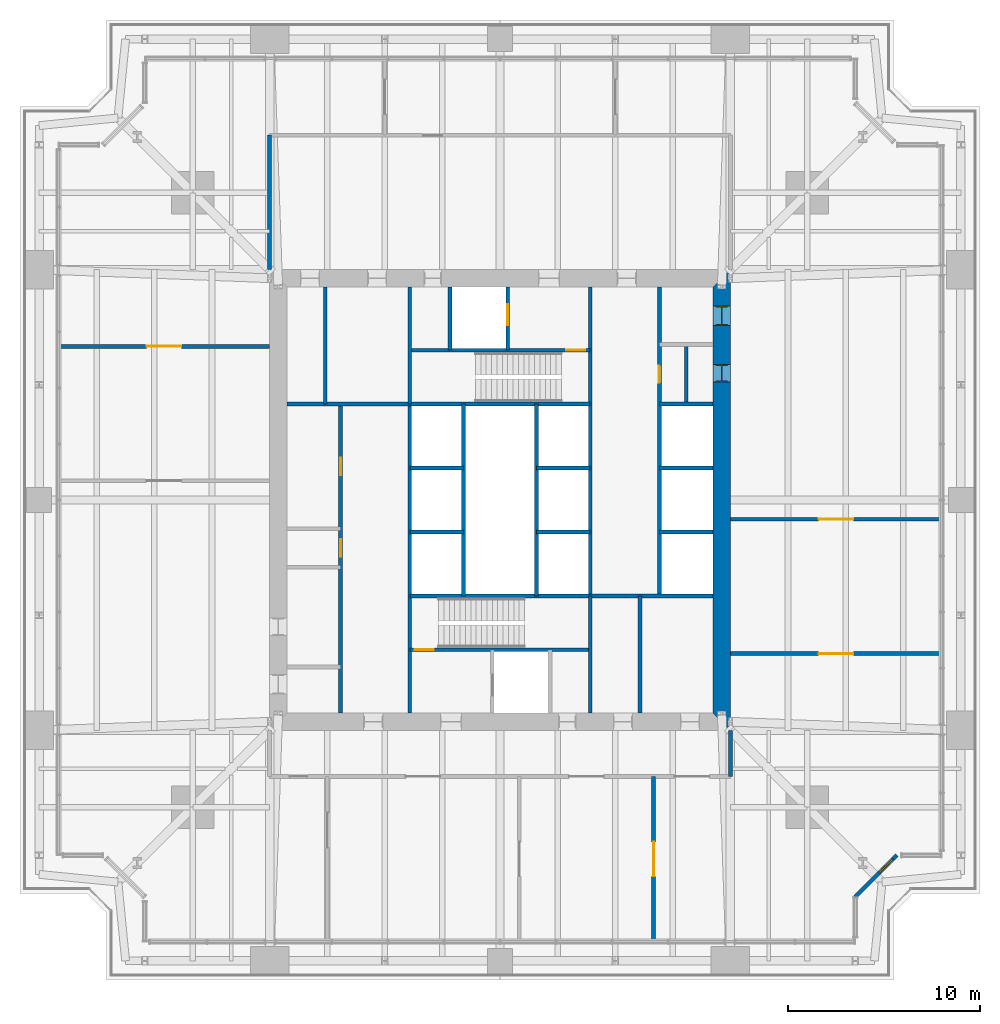
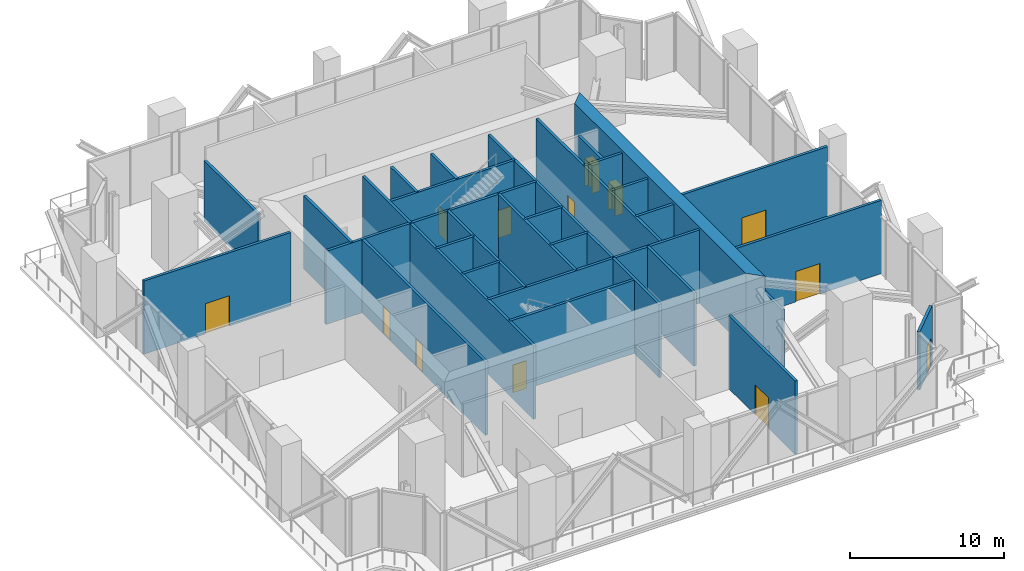
# One storey, part 10 of 14: 32 walls, 13 doors, 13 openings.
"""IFC4 building model written with IfcOpenShell, lengths in metres."""

from ifc_helpers import new_model, si_unit, direction, frame, frame_2d, origin, place, context, subcontext, project, spatial, polyline, rectangle, outline, extrude, material, layer, layer_set, type_object, element, fill, save


model = new_model("IFC4")

# Units and contexts
model_context = context("Model", 3, precision=1e-05, world=origin(), true_north=direction((0.0, 1.0)))
body_context = subcontext(model_context, "Body", "Model", "MODEL_VIEW")
ifc_project = project(units=[si_unit("LENGTHUNIT", "METRE"), si_unit("AREAUNIT", "SQUARE_METRE"), si_unit("VOLUMEUNIT", "CUBIC_METRE"), si_unit("PLANEANGLEUNIT", "RADIAN"), si_unit("MASSUNIT", "GRAM", prefix="KILO")], contexts=[model_context])

# Site, building, storey
site_placement = place(None, origin())
site = spatial("IfcSite", under=ifc_project, at=site_placement, CompositionType="ELEMENT")
building_placement = place(site_placement, origin())
building = spatial("IfcBuilding", under=site, at=building_placement, Name="Fenwick Lantern Interchange", CompositionType="ELEMENT")
storey_placement = place(building_placement, frame((0.0, 0.0, 162.39990234375)))
storey = spatial("IfcBuildingStorey", under=building, at=storey_placement, Name="L38", CompositionType="ELEMENT", Elevation=162.39990234375)

# Wall, openings, doors
ifc_material_1 = material(Name="Concrete masonry ASTM C90 Grade N", Category="masonry")
ifc_layer_1 = layer(ifc_material_1, 0.199951171875)
ifc_layer_set_1 = layer_set([ifc_layer_1], Name="Concrete masonry ASTM C90 Grade N")
wall_type_1 = type_object("IfcWallType", Name="CORE PARTITION 200", PredefinedType="PARTITIONING", material=ifc_layer_set_1)
wall_1_placement = place(storey_placement, frame((16.699951171875, 13.89990234375, 0.0), z_axis=(0.0, 0.0, 1.0), x_axis=(0.0, 1.0, 0.0)))
wall_1 = element("IfcWall", 1, at=wall_1_placement, inside=storey, type_object=wall_type_1, Name="L38/W/CORES/a", PredefinedType="PARTITIONING", context=body_context, shape_type="SweptSolid", body=[
    extrude(rectangle(XDim=16.10009765625, YDim=0.199951171875, at=frame_2d((8.050048828125, 0.0))), origin(), (0.0, 0.0, 1.0), 5.800048828125),
])
opening_1_placement = place(wall_1_placement, frame((8.14990234375, 0.0, 0.0)))
opening_1 = element("IfcOpeningElement", 2, at=opening_1_placement, cuts=wall_1, Name="Opening L38-D010", PredefinedType="OPENING", context=body_context, shape_type="SweptSolid", body=[
    extrude(rectangle(XDim=0.89990234375, YDim=2.199951171875, at=frame_2d((0.449951171875, 1.10009765625))), frame((0.0, 0.10986328125, 0.0), z_axis=(0.0, -1.0, 0.0), x_axis=(1.0, 0.0, 0.0)), (0.0, 0.0, 1.0), 0.219970703125),
])
opening_2_placement = place(wall_1_placement, frame((12.39990234375, 0.0, 0.0)))
opening_2 = element("IfcOpeningElement", 3, at=opening_2_placement, cuts=wall_1, Name="Opening L38-D011", PredefinedType="OPENING", context=body_context, shape_type="SweptSolid", body=[
    extrude(rectangle(XDim=0.89990234375, YDim=2.199951171875, at=frame_2d((0.449951171875, 1.10009765625))), frame((0.0, 0.10986328125, 0.0), z_axis=(0.0, -1.0, 0.0), x_axis=(1.0, 0.0, 0.0)), (0.0, 0.0, 1.0), 0.219970703125),
])
ifc_material_2 = material(Name="Steel door and frame", Category="steel")
door_type_1 = type_object("IfcDoorType", Name="SERVICE DOOR 900 X 2200", OperationType="SINGLE_SWING_LEFT", PredefinedType="DOOR", material=ifc_material_2)
door_1_placement = place(opening_1_placement, origin())
door_1 = element("IfcDoor", 4, at=door_1_placement, inside=storey, type_object=door_type_1, Name="Service door", OperationType="SINGLE_SWING_LEFT", OverallHeight=2.199951171875, OverallWidth=0.89990234375, PredefinedType="DOOR", context=body_context, shape_type="SweptSolid", body=[
    extrude(rectangle(XDim=0.89990234375, YDim=2.199951171875, at=frame_2d((0.449951171875, 1.10009765625))), frame((0.0, 0.02490234375, 0.0), z_axis=(0.0, -1.0, 0.0), x_axis=(1.0, 0.0, 0.0)), (0.0, 0.0, 1.0), 0.050048828125),
])
fill(opening_1, door_1)
door_2_placement = place(opening_2_placement, origin())
door_2 = element("IfcDoor", 5, at=door_2_placement, inside=storey, type_object=door_type_1, Name="Service door", OperationType="SINGLE_SWING_LEFT", OverallHeight=2.199951171875, OverallWidth=0.89990234375, PredefinedType="DOOR", context=body_context, shape_type="SweptSolid", body=[
    extrude(rectangle(XDim=0.89990234375, YDim=2.199951171875, at=frame_2d((0.449951171875, 1.10009765625))), frame((0.0, 0.02490234375, 0.0), z_axis=(0.0, -1.0, 0.0), x_axis=(1.0, 0.0, 0.0)), (0.0, 0.0, 1.0), 0.050048828125),
])
fill(opening_2, door_2)

# Walls
for number, where, z_axis, x_axis, name in (
    (6, (20.300048828125, 23.333251953125, 0.0), (0.0, 0.0, 1.0), (1.0, 0.0, 0.0), "L38/W/CORES/e1"),
    (7, (20.300048828125, 26.666748046875, 0.0), (0.0, 0.0, 1.0), (1.0, 0.0, 0.0), "L38/W/CORES/e2"),
):
    element("IfcWall", number, at=place(storey_placement, frame(where, z_axis=z_axis, x_axis=x_axis)), inside=storey, type_object=wall_type_1, Name=name, PredefinedType="PARTITIONING", context=body_context, shape_type="SweptSolid", body=[
        extrude(rectangle(XDim=2.800048828125, YDim=0.199951171875, at=frame_2d((1.39990234375, 0.0))), origin(), (0.0, 0.0, 1.0), 5.800048828125),
    ])
wall_2_placement = place(storey_placement, frame((23.10009765625, 20.0, 0.0), z_axis=(0.0, 0.0, 1.0), x_axis=(0.0, 1.0, 0.0)))
element("IfcWall", 8, at=wall_2_placement, inside=storey, type_object=wall_type_1, Name="L38/W/CORES/e3", PredefinedType="PARTITIONING", context=body_context, shape_type="SweptSolid", body=[
    extrude(rectangle(XDim=10.0, YDim=0.199951171875, at=frame_2d((5.0, 0.0))), origin(), (0.0, 0.0, 1.0), 5.800048828125),
])
wall_3_placement = place(storey_placement, frame((32.300048828125, 13.89990234375, 0.0), z_axis=(0.0, 0.0, 1.0), x_axis=(0.0, 1.0, 0.0)))
element("IfcWall", 9, at=wall_3_placement, inside=storey, type_object=wall_type_1, Name="L38/W/CORES/i2", PredefinedType="PARTITIONING", context=body_context, shape_type="SweptSolid", body=[
    extrude(rectangle(XDim=6.10009765625, YDim=0.199951171875, at=frame_2d((3.050048828125, 0.0))), origin(), (0.0, 0.0, 1.0), 5.800048828125),
])

# Wall, opening, door
wall_4_placement = place(storey_placement, frame((33.300048828125, 36.10009765625, 0.0), z_axis=(0.0, 0.0, 1.0), x_axis=(0.0, -1.0, 0.0)))
wall_4 = element("IfcWall", 10, at=wall_4_placement, inside=storey, type_object=wall_type_1, Name="L38/W/COREN/a", PredefinedType="PARTITIONING", context=body_context, shape_type="SweptSolid", body=[
    extrude(rectangle(XDim=16.10009765625, YDim=0.199951171875, at=frame_2d((8.050048828125, 0.0))), origin(), (0.0, 0.0, 1.0), 5.800048828125),
])
opening_3_placement = place(wall_4_placement, frame((4.10009765625, 0.0, 0.0)))
opening_3 = element("IfcOpeningElement", 11, at=opening_3_placement, cuts=wall_4, Name="Opening L38-D019", PredefinedType="OPENING", context=body_context, shape_type="SweptSolid", body=[
    extrude(rectangle(XDim=0.89990234375, YDim=2.199951171875, at=frame_2d((0.449951171875, 1.10009765625))), frame((0.0, 0.10986328125, 0.0), z_axis=(0.0, -1.0, 0.0), x_axis=(1.0, 0.0, 0.0)), (0.0, 0.0, 1.0), 0.219970703125),
])
door_3_placement = place(opening_3_placement, origin())
door_3 = element("IfcDoor", 12, at=door_3_placement, inside=storey, type_object=door_type_1, Name="Service door", OperationType="SINGLE_SWING_LEFT", OverallHeight=2.199951171875, OverallWidth=0.89990234375, PredefinedType="DOOR", context=body_context, shape_type="SweptSolid", body=[
    extrude(rectangle(XDim=0.89990234375, YDim=2.199951171875, at=frame_2d((0.449951171875, 1.10009765625))), frame((0.0, 0.02490234375, 0.0), z_axis=(0.0, -1.0, 0.0), x_axis=(1.0, 0.0, 0.0)), (0.0, 0.0, 1.0), 0.050048828125),
])
fill(opening_3, door_3)

# Walls
for number, where, z_axis, x_axis, name in (
    (13, (36.10009765625, 30.0, 0.0), (0.0, 0.0, 1.0), (-1.0, 0.0, 0.0), "L38/W/COREN/c2"),
    (14, (36.10009765625, 26.666748046875, 0.0), (0.0, 0.0, 1.0), (-1.0, 0.0, 0.0), "L38/W/COREN/d1"),
    (15, (36.10009765625, 23.333251953125, 0.0), (0.0, 0.0, 1.0), (-1.0, 0.0, 0.0), "L38/W/COREN/d2"),
    (16, (29.699951171875, 26.666748046875, 0.0), (0.0, 0.0, 1.0), (-1.0, 0.0, 0.0), "L38/W/COREN/e1"),
    (17, (29.699951171875, 23.333251953125, 0.0), (0.0, 0.0, 1.0), (-1.0, 0.0, 0.0), "L38/W/COREN/e2"),
):
    element("IfcWall", number, at=place(storey_placement, frame(where, z_axis=z_axis, x_axis=x_axis)), inside=storey, type_object=wall_type_1, Name=name, PredefinedType="PARTITIONING", context=body_context, shape_type="SweptSolid", body=[
        extrude(rectangle(XDim=2.800048828125, YDim=0.199951171875, at=frame_2d((1.39990234375, 0.0))), origin(), (0.0, 0.0, 1.0), 5.800048828125),
    ])
wall_5_placement = place(storey_placement, frame((26.89990234375, 30.0, 0.0), z_axis=(0.0, 0.0, 1.0), x_axis=(0.0, -1.0, 0.0)))
element("IfcWall", 18, at=wall_5_placement, inside=storey, type_object=wall_type_1, Name="L38/W/COREN/e3", PredefinedType="PARTITIONING", context=body_context, shape_type="SweptSolid", body=[
    extrude(rectangle(XDim=10.0, YDim=0.199951171875, at=frame_2d((5.0, 0.0))), origin(), (0.0, 0.0, 1.0), 5.800048828125),
])

# Wall, opening, door
wall_6_placement = place(storey_placement, frame((25.39990234375, 36.10009765625, 0.0), z_axis=(0.0, 0.0, 1.0), x_axis=(0.0, -1.0, 0.0)))
wall_6 = element("IfcWall", 19, at=wall_6_placement, inside=storey, type_object=wall_type_1, Name="L38/W/COREN/h1", PredefinedType="PARTITIONING", context=body_context, shape_type="SweptSolid", body=[
    extrude(rectangle(XDim=3.300048828125, YDim=0.199951171875, at=frame_2d((1.64990234375, 0.0))), origin(), (0.0, 0.0, 1.0), 5.800048828125),
])
opening_4_placement = place(wall_6_placement, frame((0.89990234375, 0.0, 0.0)))
opening_4 = element("IfcOpeningElement", 20, at=opening_4_placement, cuts=wall_6, Name="Opening LD-FL2", PredefinedType="OPENING", context=body_context, shape_type="SweptSolid", body=[
    extrude(rectangle(XDim=1.10009765625, YDim=2.199951171875, at=frame_2d((0.550048828125, 1.10009765625))), frame((0.0, 0.10986328125, 0.0), z_axis=(0.0, -1.0, 0.0), x_axis=(1.0, 0.0, 0.0)), (0.0, 0.0, 1.0), 0.219970703125),
])
door_type_2 = type_object("IfcDoorType", Name="LIFT LANDING DOOR 1100 X 2200", OperationType="DOUBLE_DOOR_SLIDING", PredefinedType="DOOR", material=ifc_material_2)
door_4_placement = place(opening_4_placement, origin())
door_4 = element("IfcDoor", 21, at=door_4_placement, inside=storey, type_object=door_type_2, Name="Lift landing door FL2", OperationType="DOUBLE_DOOR_SLIDING", OverallHeight=2.199951171875, OverallWidth=1.10009765625, PredefinedType="DOOR", context=body_context, shape_type="SweptSolid", body=[
    extrude(rectangle(XDim=1.10009765625, YDim=2.199951171875, at=frame_2d((0.550048828125, 1.10009765625))), frame((0.0, 0.02490234375, 0.0), z_axis=(0.0, -1.0, 0.0), x_axis=(1.0, 0.0, 0.0)), (0.0, 0.0, 1.0), 0.050048828125),
])
fill(opening_4, door_4)

# Walls
wall_7_placement = place(storey_placement, frame((22.39990234375, 36.10009765625, 0.0), z_axis=(0.0, 0.0, 1.0), x_axis=(0.0, -1.0, 0.0)))
element("IfcWall", 22, at=wall_7_placement, inside=storey, type_object=wall_type_1, Name="L38/W/COREN/h2", PredefinedType="PARTITIONING", context=body_context, shape_type="SweptSolid", body=[
    extrude(rectangle(XDim=3.300048828125, YDim=0.199951171875, at=frame_2d((1.64990234375, 0.0))), origin(), (0.0, 0.0, 1.0), 5.800048828125),
])
wall_8_placement = place(storey_placement, frame((15.89990234375, 36.10009765625, 0.0), z_axis=(0.0, 0.0, 1.0), x_axis=(0.0, -1.0, 0.0)))
element("IfcWall", 23, at=wall_8_placement, inside=storey, type_object=wall_type_1, Name="L38/W/COREN/i2", PredefinedType="PARTITIONING", context=body_context, shape_type="SweptSolid", body=[
    extrude(rectangle(XDim=6.10009765625, YDim=0.199951171875, at=frame_2d((3.050048828125, 0.0))), origin(), (0.0, 0.0, 1.0), 5.800048828125),
])
wall_9_placement = place(storey_placement, frame((34.699951171875, 33.10009765625, 0.0), z_axis=(0.0, 0.0, 1.0), x_axis=(0.0, -1.0, 0.0)))
element("IfcWall", 24, at=wall_9_placement, inside=storey, type_object=wall_type_1, Name="L38/W/COREN/px", PredefinedType="PARTITIONING", context=body_context, shape_type="SweptSolid", body=[
    extrude(rectangle(XDim=3.10009765625, YDim=0.199951171875, at=frame_2d((1.550048828125, 0.0))), origin(), (0.0, 0.0, 1.0), 5.800048828125),
])

# Wall, openings, doors
ifc_material_3 = material(Name="Concrete f'c 70 MPa", Category="concrete")
ifc_layer_2 = layer(ifc_material_3, 0.89990234375)
ifc_layer_set_2 = layer_set([ifc_layer_2], Name="CORE WALL 900")
wall_type_2 = type_object("IfcWallType", Name="CORE WALL 900", PredefinedType="SHEAR", material=ifc_layer_set_2)
wall_10_placement = place(storey_placement, frame((36.550048828125, 13.89990234375, 0.0), z_axis=(0.0, 0.0, 1.0), x_axis=(0.0, 1.0, 0.0)))
wall_10 = element("IfcWall", 25, at=wall_10_placement, inside=storey, type_object=wall_type_2, Name="L38/CORE/E", PredefinedType="SHEAR", context=body_context, shape_type="SweptSolid", body=[
    extrude(outline(polyline([(-0.89990234375, -0.449951171875), (23.10009765625, -0.449951171875), (22.199951171875, 0.449951171875), (0.0, 0.449951171875), (-0.89990234375, -0.449951171875)])), origin(), (0.0, 0.0, 1.0), 6.0),
])
opening_5_placement = place(wall_10_placement, frame((20.199951171875, 0.0, 0.0)))
opening_5 = element("IfcOpeningElement", 26, at=opening_5_placement, cuts=wall_10, Name="Opening L38-D018", PredefinedType="OPENING", context=body_context, shape_type="SweptSolid", body=[
    extrude(rectangle(XDim=1.0, YDim=2.199951171875, at=frame_2d((0.5, 1.10009765625))), frame((0.0, 0.4599609375, 0.0), z_axis=(0.0, -1.0, 0.0), x_axis=(1.0, 0.0, 0.0)), (0.0, 0.0, 1.0), 0.919921875),
])
opening_6_placement = place(wall_10_placement, frame((17.25, 0.0, 0.0)))
opening_6 = element("IfcOpeningElement", 27, at=opening_6_placement, cuts=wall_10, Name="Opening L38-D020", PredefinedType="OPENING", context=body_context, shape_type="SweptSolid", body=[
    extrude(rectangle(XDim=0.89990234375, YDim=2.199951171875, at=frame_2d((0.449951171875, 1.10009765625))), frame((0.0, 0.4599609375, 0.0), z_axis=(0.0, -1.0, 0.0), x_axis=(1.0, 0.0, 0.0)), (0.0, 0.0, 1.0), 0.919921875),
])
door_5_placement = place(opening_6_placement, origin())
door_5 = element("IfcDoor", 28, at=door_5_placement, inside=storey, type_object=door_type_1, Name="Service door", OperationType="SINGLE_SWING_RIGHT", OverallHeight=2.199951171875, OverallWidth=0.89990234375, PredefinedType="DOOR", context=body_context, shape_type="SweptSolid", body=[
    extrude(rectangle(XDim=0.89990234375, YDim=2.199951171875, at=frame_2d((0.449951171875, 1.10009765625))), frame((0.0, 0.02490234375, 0.0), z_axis=(0.0, -1.0, 0.0), x_axis=(1.0, 0.0, 0.0)), (0.0, 0.0, 1.0), 0.050048828125),
    extrude(outline(polyline([(0.0, 0.0), (0.0400390625, 0.0), (0.0400390625, 2.159912109375), (0.85986328125, 2.159912109375), (0.85986328125, 0.0), (0.89990234375, 0.0), (0.89990234375, 2.199951171875), (0.0, 2.199951171875), (0.0, 0.0)])), frame((0.0, 0.300048828125, 0.0), z_axis=(0.0, -1.0, 0.0), x_axis=(1.0, 0.0, 0.0)), (0.0, 0.0, 1.0), 0.60009765625),
])
fill(opening_6, door_5)
ifc_material_4 = material(Name="Hardwood door and steel frame", Category="steel")
door_type_3 = type_object("IfcDoorType", Name="WC DOOR 1000 X 2200", OperationType="SINGLE_SWING_LEFT", PredefinedType="DOOR", material=ifc_material_4)
door_6_placement = place(opening_5_placement, origin())
door_6 = element("IfcDoor", 29, at=door_6_placement, inside=storey, type_object=door_type_3, Name="Wc door", OperationType="SINGLE_SWING_LEFT", OverallHeight=2.199951171875, OverallWidth=1.0, PredefinedType="DOOR", context=body_context, shape_type="SweptSolid", body=[
    extrude(rectangle(XDim=1.0, YDim=2.199951171875, at=frame_2d((0.5, 1.10009765625))), frame((0.0, 0.02490234375, 0.0), z_axis=(0.0, -1.0, 0.0), x_axis=(1.0, 0.0, 0.0)), (0.0, 0.0, 1.0), 0.050048828125),
    extrude(outline(polyline([(0.0, 0.0), (0.0400390625, 0.0), (0.0400390625, 2.159912109375), (0.9599609375, 2.159912109375), (0.9599609375, 0.0), (1.0, 0.0), (1.0, 2.199951171875), (0.0, 2.199951171875), (0.0, 0.0)])), frame((0.0, 0.300048828125, 0.0), z_axis=(0.0, -1.0, 0.0), x_axis=(1.0, 0.0, 0.0)), (0.0, 0.0, 1.0), 0.60009765625),
])
fill(opening_5, door_6)

# Wall
ifc_layer_3 = layer(ifc_material_1, 0.199951171875)
ifc_layer_set_3 = layer_set([ifc_layer_3], Name="Concrete masonry ASTM C90 Grade N")
wall_type_3 = type_object("IfcWallType", Name="PLANT ROOM WALL 200", PredefinedType="PARTITIONING", material=ifc_layer_set_3)
wall_11_placement = place(storey_placement, frame((37.0, 10.60009765625, 0.0), z_axis=(0.0, 0.0, 1.0), x_axis=(0.0, 1.0, 0.0)))
element("IfcWall", 30, at=wall_11_placement, inside=storey, type_object=wall_type_3, Name="L38/W/FLOOR/PCS-B", PredefinedType="PARTITIONING", context=body_context, shape_type="SweptSolid", body=[
    extrude(rectangle(XDim=2.39990234375, YDim=0.199951171875, at=frame_2d((1.199951171875, 0.0))), origin(), (0.0, 0.0, 1.0), 4.806884765625),
])

# Wall, opening, door
wall_12_placement = place(storey_placement, frame((33.0, 2.0, 0.0), z_axis=(0.0, 0.0, 1.0), x_axis=(0.0, 1.0, 0.0)))
wall_12 = element("IfcWall", 31, at=wall_12_placement, inside=storey, type_object=wall_type_3, Name="L38/W/FLOOR/PW3", PredefinedType="PARTITIONING", context=body_context, shape_type="SweptSolid", body=[
    extrude(rectangle(XDim=8.60009765625, YDim=0.199951171875, at=frame_2d((4.300048828125, 0.0))), origin(), (0.0, 0.0, 1.0), 5.800048828125),
])
opening_7_placement = place(wall_12_placement, frame((3.39990234375, 0.0, 0.0)))
opening_7 = element("IfcOpeningElement", 32, at=opening_7_placement, cuts=wall_12, Name="Opening L38-D024", PredefinedType="OPENING", context=body_context, shape_type="SweptSolid", body=[
    extrude(rectangle(XDim=1.800048828125, YDim=2.39990234375, at=frame_2d((0.89990234375, 1.199951171875))), frame((0.0, 0.10986328125, 0.0), z_axis=(0.0, -1.0, 0.0), x_axis=(1.0, 0.0, 0.0)), (0.0, 0.0, 1.0), 0.219970703125),
])
door_type_4 = type_object("IfcDoorType", Name="ROOM DOOR PAIR 1800 X 2400", OperationType="DOUBLE_DOOR_SINGLE_SWING", PredefinedType="DOOR", material=ifc_material_2)
door_7_placement = place(opening_7_placement, origin())
door_7 = element("IfcDoor", 33, at=door_7_placement, inside=storey, type_object=door_type_4, Name="Room door pair", OperationType="DOUBLE_DOOR_SINGLE_SWING", OverallHeight=2.39990234375, OverallWidth=1.800048828125, PredefinedType="DOOR", context=body_context, shape_type="SweptSolid", body=[
    extrude(rectangle(XDim=1.800048828125, YDim=2.39990234375, at=frame_2d((0.89990234375, 1.199951171875))), frame((0.0, 0.02490234375, 0.0), z_axis=(0.0, -1.0, 0.0), x_axis=(1.0, 0.0, 0.0)), (0.0, 0.0, 1.0), 0.050048828125),
])
fill(opening_7, door_7)

wall_13_placement = place(storey_placement, frame((37.0, 17.0, 0.0), z_axis=(0.0, 0.0, 1.0), x_axis=(1.0, 0.0, 0.0)))
wall_13 = element("IfcWall", 34, at=wall_13_placement, inside=storey, type_object=wall_type_3, Name="L38/W/FLOOR/PW4", PredefinedType="PARTITIONING", context=body_context, shape_type="SweptSolid", body=[
    extrude(rectangle(XDim=11.0, YDim=0.199951171875, at=frame_2d((5.5, 0.0))), origin(), (0.0, 0.0, 1.0), 5.800048828125),
])
opening_8_placement = place(wall_13_placement, frame((4.60009765625, 0.0, 0.0)))
opening_8 = element("IfcOpeningElement", 35, at=opening_8_placement, cuts=wall_13, Name="Opening L38-D025", PredefinedType="OPENING", context=body_context, shape_type="SweptSolid", body=[
    extrude(rectangle(XDim=1.800048828125, YDim=2.39990234375, at=frame_2d((0.89990234375, 1.199951171875))), frame((0.0, 0.10986328125, 0.0), z_axis=(0.0, -1.0, 0.0), x_axis=(1.0, 0.0, 0.0)), (0.0, 0.0, 1.0), 0.219970703125),
])
door_8_placement = place(opening_8_placement, origin())
door_8 = element("IfcDoor", 36, at=door_8_placement, inside=storey, type_object=door_type_4, Name="Room door pair", OperationType="DOUBLE_DOOR_SINGLE_SWING", OverallHeight=2.39990234375, OverallWidth=1.800048828125, PredefinedType="DOOR", context=body_context, shape_type="SweptSolid", body=[
    extrude(rectangle(XDim=1.800048828125, YDim=2.39990234375, at=frame_2d((0.89990234375, 1.199951171875))), frame((0.0, 0.02490234375, 0.0), z_axis=(0.0, -1.0, 0.0), x_axis=(1.0, 0.0, 0.0)), (0.0, 0.0, 1.0), 0.050048828125),
])
fill(opening_8, door_8)

wall_14_placement = place(storey_placement, frame((37.0, 24.0, 0.0), z_axis=(0.0, 0.0, 1.0), x_axis=(1.0, 0.0, 0.0)))
wall_14 = element("IfcWall", 37, at=wall_14_placement, inside=storey, type_object=wall_type_3, Name="L38/W/FLOOR/PW5", PredefinedType="PARTITIONING", context=body_context, shape_type="SweptSolid", body=[
    extrude(rectangle(XDim=11.0, YDim=0.199951171875, at=frame_2d((5.5, 0.0))), origin(), (0.0, 0.0, 1.0), 5.800048828125),
])
opening_9_placement = place(wall_14_placement, frame((4.60009765625, 0.0, 0.0)))
opening_9 = element("IfcOpeningElement", 38, at=opening_9_placement, cuts=wall_14, Name="Opening L38-D026", PredefinedType="OPENING", context=body_context, shape_type="SweptSolid", body=[
    extrude(rectangle(XDim=1.800048828125, YDim=2.39990234375, at=frame_2d((0.89990234375, 1.199951171875))), frame((0.0, 0.10986328125, 0.0), z_axis=(0.0, -1.0, 0.0), x_axis=(1.0, 0.0, 0.0)), (0.0, 0.0, 1.0), 0.219970703125),
])
door_9_placement = place(opening_9_placement, frame((1.800048828125, 0.0, 0.0), z_axis=(0.0, 0.0, 1.0), x_axis=(-1.0, 0.0, 0.0)))
door_9 = element("IfcDoor", 39, at=door_9_placement, inside=storey, type_object=door_type_4, Name="Room door pair", OperationType="DOUBLE_DOOR_SINGLE_SWING", OverallHeight=2.39990234375, OverallWidth=1.800048828125, PredefinedType="DOOR", context=body_context, shape_type="SweptSolid", body=[
    extrude(rectangle(XDim=1.800048828125, YDim=2.39990234375, at=frame_2d((0.89990234375, 1.199951171875))), frame((0.0, 0.02490234375, 0.0), z_axis=(0.0, -1.0, 0.0), x_axis=(1.0, 0.0, 0.0)), (0.0, 0.0, 1.0), 0.050048828125),
])
fill(opening_9, door_9)

wall_15_placement = place(storey_placement, frame((2.0, 33.0, 0.0), z_axis=(0.0, 0.0, 1.0), x_axis=(1.0, 0.0, 0.0)))
wall_15 = element("IfcWall", 40, at=wall_15_placement, inside=storey, type_object=wall_type_3, Name="L38/W/FLOOR/PW9", PredefinedType="PARTITIONING", context=body_context, shape_type="SweptSolid", body=[
    extrude(rectangle(XDim=11.0, YDim=0.199951171875, at=frame_2d((5.5, 0.0))), origin(), (0.0, 0.0, 1.0), 5.800048828125),
])
opening_10_placement = place(wall_15_placement, frame((4.60009765625, 0.0, 0.0)))
opening_10 = element("IfcOpeningElement", 41, at=opening_10_placement, cuts=wall_15, Name="Opening L38-D030", PredefinedType="OPENING", context=body_context, shape_type="SweptSolid", body=[
    extrude(rectangle(XDim=1.800048828125, YDim=2.39990234375, at=frame_2d((0.89990234375, 1.199951171875))), frame((0.0, 0.10986328125, 0.0), z_axis=(0.0, -1.0, 0.0), x_axis=(1.0, 0.0, 0.0)), (0.0, 0.0, 1.0), 0.219970703125),
])
door_10_placement = place(opening_10_placement, frame((1.800048828125, 0.0, 0.0), z_axis=(0.0, 0.0, 1.0), x_axis=(-1.0, 0.0, 0.0)))
door_10 = element("IfcDoor", 42, at=door_10_placement, inside=storey, type_object=door_type_4, Name="Room door pair", OperationType="DOUBLE_DOOR_SINGLE_SWING", OverallHeight=2.39990234375, OverallWidth=1.800048828125, PredefinedType="DOOR", context=body_context, shape_type="SweptSolid", body=[
    extrude(rectangle(XDim=1.800048828125, YDim=2.39990234375, at=frame_2d((0.89990234375, 1.199951171875))), frame((0.0, 0.02490234375, 0.0), z_axis=(0.0, -1.0, 0.0), x_axis=(1.0, 0.0, 0.0)), (0.0, 0.0, 1.0), 0.050048828125),
])
fill(opening_10, door_10)

ifc_material_5 = material(Name="Aluminium sheet", Category="aluminium")
ifc_layer_4 = layer(ifc_material_5, 0.0048828125)
ifc_material_6 = material(Name="Mineral wool insulation")
ifc_layer_5 = layer(ifc_material_6, 0.094970703125)
ifc_material_7 = material(Name="Cold-formed galvanised steel studs", Category="steel")
ifc_layer_6 = layer(ifc_material_7, 0.10009765625)
ifc_layer_set_4 = layer_set([ifc_layer_4, ifc_layer_5, ifc_layer_6], Name="Aluminium sheet")
wall_type_4 = type_object("IfcWallType", Name="PLANT SCREEN PANEL 200", PredefinedType="SOLIDWALL", material=ifc_layer_set_4)
wall_16_placement = place(storey_placement, frame((43.5, 4.328369140625, 0.0), z_axis=(0.0, 0.0, 1.0), x_axis=(0.707106781187, 0.707106781187, 0.0)))
wall_16 = element("IfcWall", 43, at=wall_16_placement, inside=storey, type_object=wall_type_4, Name="L38/CW/02W", PredefinedType="SOLIDWALL", context=body_context, shape_type="SweptSolid", body=[
    extrude(rectangle(XDim=3.071044921875, YDim=0.199951171875, at=frame_2d((1.53564453125, 0.0))), origin(), (0.0, 0.0, 1.0), 4.60009765625),
])
opening_11_placement = place(wall_16_placement, frame((1.78564453125, 0.0, 0.0)))
opening_11 = element("IfcOpeningElement", 44, at=opening_11_placement, cuts=wall_16, Name="Opening L38-D001", PredefinedType="OPENING", context=body_context, shape_type="SweptSolid", body=[
    extrude(rectangle(XDim=1.0, YDim=2.199951171875, at=frame_2d((0.5, 1.10009765625))), frame((0.0, 0.10986328125, 0.0), z_axis=(0.0, -1.0, 0.0), x_axis=(1.0, 0.0, 0.0)), (0.0, 0.0, 1.0), 0.219970703125),
])
ifc_material_8 = material(Name="Insulated steel door", Category="steel")
door_type_5 = type_object("IfcDoorType", Name="MAINTENANCE ACCESS DOOR 1000 X 2200", OperationType="SINGLE_SWING_RIGHT", PredefinedType="DOOR", material=ifc_material_8)
door_11_placement = place(opening_11_placement, origin())
door_11 = element("IfcDoor", 45, at=door_11_placement, inside=storey, type_object=door_type_5, Name="Maintenance access door", OperationType="SINGLE_SWING_RIGHT", OverallHeight=2.199951171875, OverallWidth=1.0, PredefinedType="DOOR", context=body_context, shape_type="SweptSolid", body=[
    extrude(rectangle(XDim=1.0, YDim=2.199951171875, at=frame_2d((0.5, 1.10009765625))), frame((0.0, 0.02490234375, 0.0), z_axis=(0.0, -1.0, 0.0), x_axis=(1.0, 0.0, 0.0)), (0.0, 0.0, 1.0), 0.050048828125),
])
fill(opening_11, door_11)

# Walls
ifc_layer_7 = layer(ifc_material_1, 0.199951171875)
ifc_layer_set_5 = layer_set([ifc_layer_7], Name="Concrete masonry ASTM C90 Grade N")
wall_type_5 = type_object("IfcWallType", Name="REFUGE WALL 200", PredefinedType="PARTITIONING", material=ifc_layer_set_5)
wall_17_placement = place(storey_placement, frame((13.0, 37.0, 0.0), z_axis=(0.0, 0.0, 1.0), x_axis=(0.0, 1.0, 0.0)))
element("IfcWall", 46, at=wall_17_placement, inside=storey, type_object=wall_type_5, Name="L38/W/FLOOR/REF-X", PredefinedType="PARTITIONING", context=body_context, shape_type="SweptSolid", body=[
    extrude(rectangle(XDim=7.0, YDim=0.199951171875, at=frame_2d((3.5, 0.0))), origin(), (0.0, 0.0, 1.0), 4.806884765625),
])
ifc_material_9 = material(Name="Concrete f'c 45 MPa", Category="concrete")
ifc_layer_8 = layer(ifc_material_9, 0.199951171875)
ifc_layer_set_6 = layer_set([ifc_layer_8], Name="STAIR CORE WALL 200")
wall_type_6 = type_object("IfcWallType", Name="STAIR CORE WALL 200", PredefinedType="SOLIDWALL", material=ifc_layer_set_6)
wall_18_placement = place(storey_placement, frame((20.300048828125, 13.89990234375, 0.0), z_axis=(0.0, 0.0, 1.0), x_axis=(0.0, 1.0, 0.0)))
element("IfcWall", 47, at=wall_18_placement, inside=storey, type_object=wall_type_6, Name="L38/W/CORES/b", PredefinedType="SOLIDWALL", context=body_context, shape_type="SweptSolid", body=[
    extrude(rectangle(XDim=16.10009765625, YDim=0.199951171875, at=frame_2d((8.050048828125, 0.0))), origin(), (0.0, 0.0, 1.0), 5.800048828125),
])

# Wall, opening, door
wall_19_placement = place(storey_placement, frame((20.300048828125, 17.199951171875, 0.0), z_axis=(0.0, 0.0, 1.0), x_axis=(1.0, 0.0, 0.0)))
wall_19 = element("IfcWall", 48, at=wall_19_placement, inside=storey, type_object=wall_type_6, Name="L38/W/CORES/g1", PredefinedType="SOLIDWALL", context=body_context, shape_type="SweptSolid", body=[
    extrude(rectangle(XDim=9.39990234375, YDim=0.199951171875, at=frame_2d((4.699951171875, 0.0))), origin(), (0.0, 0.0, 1.0), 5.800048828125),
])
opening_12_placement = place(wall_19_placement, frame((0.25, 0.0, 0.0)))
opening_12 = element("IfcOpeningElement", 49, at=opening_12_placement, cuts=wall_19, Name="Opening L38-D004", PredefinedType="OPENING", context=body_context, shape_type="SweptSolid", body=[
    extrude(rectangle(XDim=1.0, YDim=2.199951171875, at=frame_2d((0.5, 1.10009765625))), frame((0.0, 0.10986328125, 0.0), z_axis=(0.0, -1.0, 0.0), x_axis=(1.0, 0.0, 0.0)), (0.0, 0.0, 1.0), 0.219970703125),
])
door_type_6 = type_object("IfcDoorType", Name="STAIR DOOR 1000 X 2200", OperationType="SINGLE_SWING_LEFT", PredefinedType="DOOR", material=ifc_material_2)
door_12_placement = place(opening_12_placement, origin())
door_12 = element("IfcDoor", 50, at=door_12_placement, inside=storey, type_object=door_type_6, Name="Stair door", OperationType="SINGLE_SWING_LEFT", OverallHeight=2.199951171875, OverallWidth=1.0, PredefinedType="DOOR", context=body_context, shape_type="SweptSolid", body=[
    extrude(rectangle(XDim=1.0, YDim=2.199951171875, at=frame_2d((0.5, 1.10009765625))), frame((0.0, 0.02490234375, 0.0), z_axis=(0.0, -1.0, 0.0), x_axis=(1.0, 0.0, 0.0)), (0.0, 0.0, 1.0), 0.050048828125),
])
fill(opening_12, door_12)

# Walls
wall_20_placement = place(storey_placement, frame((20.300048828125, 20.0, 0.0), z_axis=(0.0, 0.0, 1.0), x_axis=(1.0, 0.0, 0.0)))
element("IfcWall", 51, at=wall_20_placement, inside=storey, type_object=wall_type_6, Name="L38/W/CORES/g2", PredefinedType="SOLIDWALL", context=body_context, shape_type="SweptSolid", body=[
    extrude(rectangle(XDim=15.800048828125, YDim=0.199951171875, at=frame_2d((7.89990234375, 0.0))), origin(), (0.0, 0.0, 1.0), 5.800048828125),
])
wall_21_placement = place(storey_placement, frame((29.699951171875, 13.89990234375, 0.0), z_axis=(0.0, 0.0, 1.0), x_axis=(0.0, 1.0, 0.0)))
element("IfcWall", 52, at=wall_21_placement, inside=storey, type_object=wall_type_6, Name="L38/W/CORES/i1", PredefinedType="SOLIDWALL", context=body_context, shape_type="SweptSolid", body=[
    extrude(rectangle(XDim=6.10009765625, YDim=0.199951171875, at=frame_2d((3.050048828125, 0.0))), origin(), (0.0, 0.0, 1.0), 5.800048828125),
])
wall_22_placement = place(storey_placement, frame((29.699951171875, 36.10009765625, 0.0), z_axis=(0.0, 0.0, 1.0), x_axis=(0.0, -1.0, 0.0)))
element("IfcWall", 53, at=wall_22_placement, inside=storey, type_object=wall_type_6, Name="L38/W/COREN/b", PredefinedType="SOLIDWALL", context=body_context, shape_type="SweptSolid", body=[
    extrude(rectangle(XDim=16.10009765625, YDim=0.199951171875, at=frame_2d((8.050048828125, 0.0))), origin(), (0.0, 0.0, 1.0), 5.800048828125),
])

# Wall, opening, door
wall_23_placement = place(storey_placement, frame((29.699951171875, 32.800048828125, 0.0), z_axis=(0.0, 0.0, 1.0), x_axis=(-1.0, 0.0, 0.0)))
wall_23 = element("IfcWall", 54, at=wall_23_placement, inside=storey, type_object=wall_type_6, Name="L38/W/COREN/g1", PredefinedType="SOLIDWALL", context=body_context, shape_type="SweptSolid", body=[
    extrude(rectangle(XDim=9.39990234375, YDim=0.199951171875, at=frame_2d((4.699951171875, 0.0))), origin(), (0.0, 0.0, 1.0), 5.800048828125),
])
opening_13_placement = place(wall_23_placement, frame((0.25, 0.0, 0.0)))
opening_13 = element("IfcOpeningElement", 55, at=opening_13_placement, cuts=wall_23, Name="Opening L38-D014", PredefinedType="OPENING", context=body_context, shape_type="SweptSolid", body=[
    extrude(rectangle(XDim=1.0, YDim=2.199951171875, at=frame_2d((0.5, 1.10009765625))), frame((0.0, 0.10986328125, 0.0), z_axis=(0.0, -1.0, 0.0), x_axis=(1.0, 0.0, 0.0)), (0.0, 0.0, 1.0), 0.219970703125),
])
door_13_placement = place(opening_13_placement, origin())
door_13 = element("IfcDoor", 56, at=door_13_placement, inside=storey, type_object=door_type_6, Name="Stair door", OperationType="SINGLE_SWING_LEFT", OverallHeight=2.199951171875, OverallWidth=1.0, PredefinedType="DOOR", context=body_context, shape_type="SweptSolid", body=[
    extrude(rectangle(XDim=1.0, YDim=2.199951171875, at=frame_2d((0.5, 1.10009765625))), frame((0.0, 0.02490234375, 0.0), z_axis=(0.0, -1.0, 0.0), x_axis=(1.0, 0.0, 0.0)), (0.0, 0.0, 1.0), 0.050048828125),
])
fill(opening_13, door_13)

# Walls
wall_24_placement = place(storey_placement, frame((29.699951171875, 30.0, 0.0), z_axis=(0.0, 0.0, 1.0), x_axis=(-1.0, 0.0, 0.0)))
element("IfcWall", 57, at=wall_24_placement, inside=storey, type_object=wall_type_6, Name="L38/W/COREN/g2", PredefinedType="SOLIDWALL", context=body_context, shape_type="SweptSolid", body=[
    extrude(rectangle(XDim=15.800048828125, YDim=0.199951171875, at=frame_2d((7.89990234375, 0.0))), origin(), (0.0, 0.0, 1.0), 5.800048828125),
])
wall_25_placement = place(storey_placement, frame((20.300048828125, 36.10009765625, 0.0), z_axis=(0.0, 0.0, 1.0), x_axis=(0.0, -1.0, 0.0)))
element("IfcWall", 58, at=wall_25_placement, inside=storey, type_object=wall_type_6, Name="L38/W/COREN/i1", PredefinedType="SOLIDWALL", context=body_context, shape_type="SweptSolid", body=[
    extrude(rectangle(XDim=6.10009765625, YDim=0.199951171875, at=frame_2d((3.050048828125, 0.0))), origin(), (0.0, 0.0, 1.0), 5.800048828125),
])

save(model, "model.ifc")
